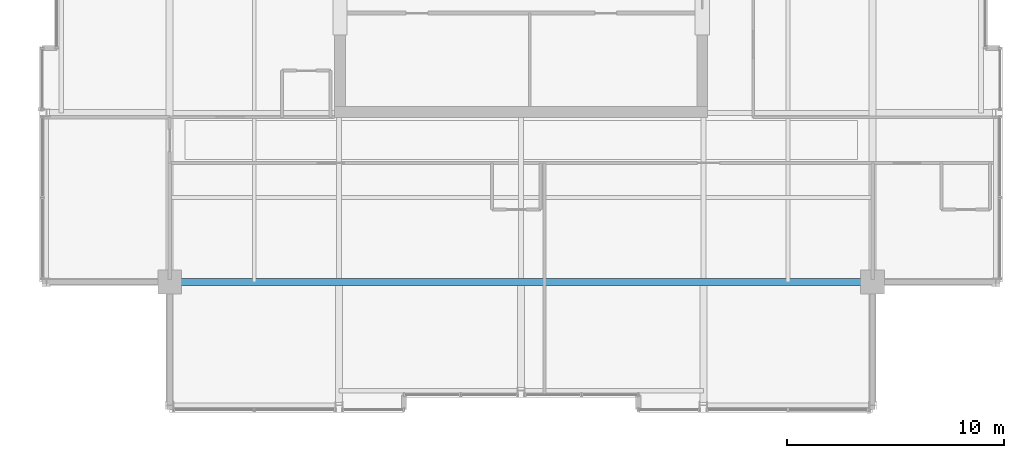
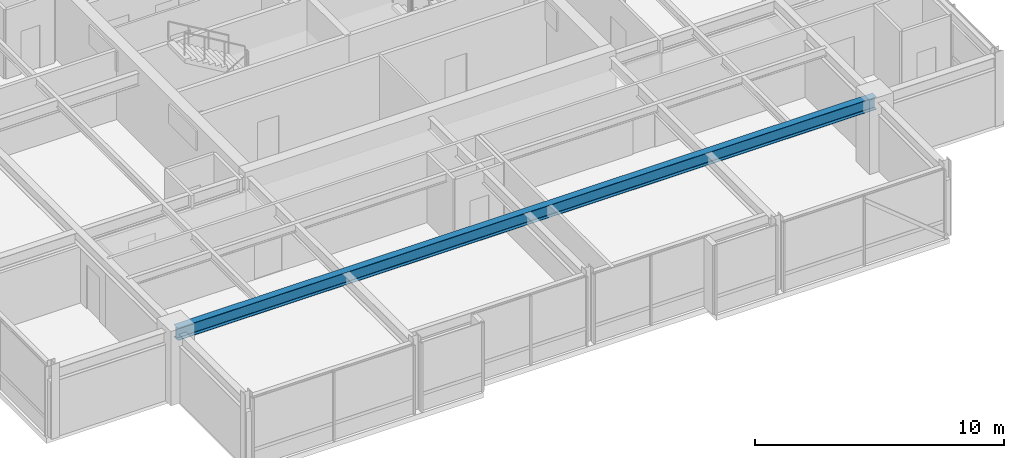
# One storey, part 8 of 33: 1 beam.
"""IFC4 building model written with IfcOpenShell, lengths in metres."""

from ifc_helpers import new_model, si_unit, direction, frame, origin, origin_2d, place, context, subcontext, project, spatial, i_section, extrude, material, material_profile, profile_set, type_object, element, save


model = new_model("IFC4")

# Units and contexts
model_context = context("Model", 3, precision=1e-05, world=origin(), true_north=direction((0.0, 1.0)))
body_context = subcontext(model_context, "Body", "Model", "MODEL_VIEW")
ifc_project = project(units=[si_unit("LENGTHUNIT", "METRE"), si_unit("AREAUNIT", "SQUARE_METRE"), si_unit("VOLUMEUNIT", "CUBIC_METRE"), si_unit("PLANEANGLEUNIT", "RADIAN"), si_unit("MASSUNIT", "GRAM", prefix="KILO")], contexts=[model_context])

# Site, building, storey
site_placement = place(None, origin())
site = spatial("IfcSite", under=ifc_project, at=site_placement, CompositionType="ELEMENT")
building_placement = place(site_placement, origin())
building = spatial("IfcBuilding", under=site, at=building_placement, Name="Drelvath Grand Hotel", CompositionType="ELEMENT")
storey_placement = place(building_placement, frame((0.0, 0.0, 275.949951171875)))
storey = spatial("IfcBuildingStorey", under=building, at=storey_placement, Name="L72", CompositionType="ELEMENT", Elevation=275.949951171875)

# Beam
ifc_material = material(Name="Steel ASTM A992 Gr 50", Category="steel")
ifc_material_profile = material_profile(ifc_material, i_section(OverallWidth=0.323974609375, OverallDepth=0.611083984375, WebThickness=0.0126953125, FlangeThickness=0.01904296875, FilletRadius=0.02197265625, at=origin_2d()), Name="W24X104")
ifc_profile_set = profile_set([ifc_material_profile], Name="Steel ASTM A992 Gr 50")
beam_type = type_object("IfcBeamType", Name="Primary Floor Girder W24X104", PredefinedType="BEAM", material=ifc_profile_set)
beam_placement = place(storey_placement, frame((-16.199951171875, 10.800048828125, 3.08447265625), z_axis=(1.0, 0.0, 0.0), x_axis=(0.0, 1.0, 0.0)))
element("IfcBeam", 1, at=beam_placement, inside=storey, type_object=beam_type, Name="L72 Mega Ring Girder South", PredefinedType="BEAM", context=body_context, shape_type="SweptSolid", body=[
    extrude(i_section(OverallWidth=0.323974609375, OverallDepth=0.611083984375, WebThickness=0.0126953125, FlangeThickness=0.01904296875, FilletRadius=0.02197265625, at=origin_2d()), origin(), (0.0, 0.0, 1.0), 32.39990234375),
])

save(model, "model.ifc")
